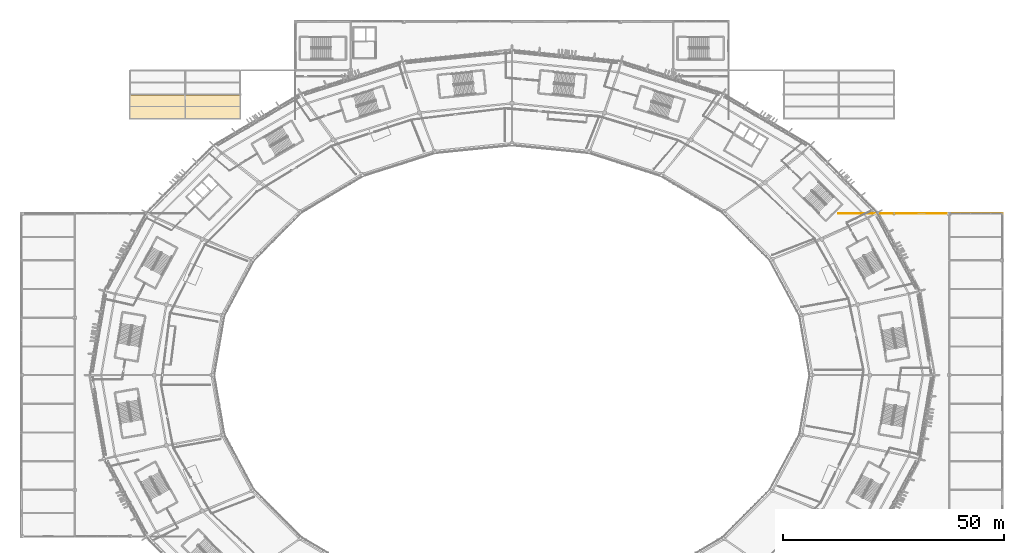
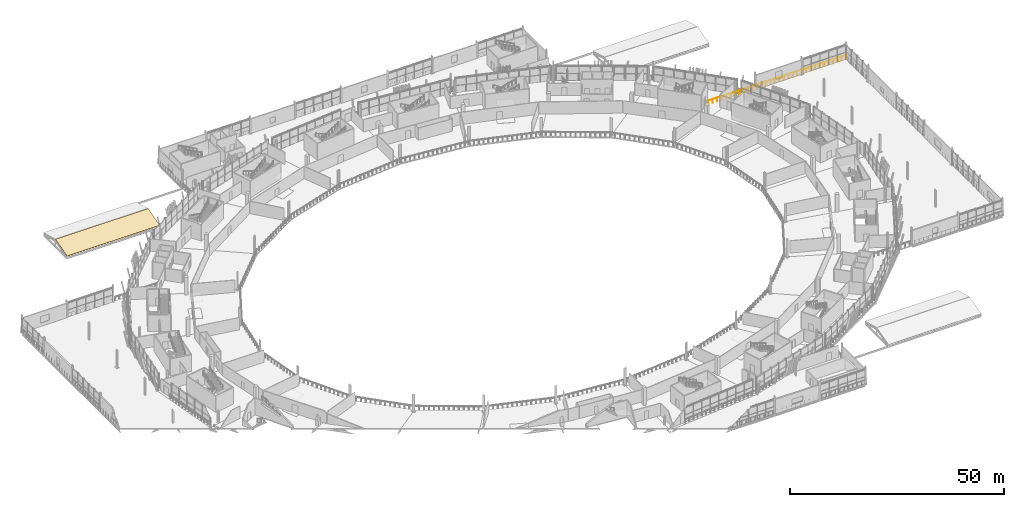
# One storey, part 171 of 179: 1 covering, 1 railing, 1 element without a shape of its own.
"""IFC4 building model written with IfcOpenShell, lengths in metres."""

from ifc_helpers import new_model, si_unit, direction, frame, origin, origin_2d, place, context, subcontext, project, spatial, polyline, rectangle, outline, extrude, material, layer, layer_set, type_object, element, aggregate, save


model = new_model("IFC4")

# Units and contexts
model_context = context("Model", 3, precision=1e-05, world=origin(), true_north=direction((0.0, 1.0)))
body_context = subcontext(model_context, "Body", "Model", "MODEL_VIEW")
ifc_project = project(units=[si_unit("LENGTHUNIT", "METRE"), si_unit("AREAUNIT", "SQUARE_METRE"), si_unit("VOLUMEUNIT", "CUBIC_METRE"), si_unit("PLANEANGLEUNIT", "RADIAN"), si_unit("MASSUNIT", "GRAM", prefix="KILO")], contexts=[model_context])

# Site, building, storey
site_placement = place(None, origin())
site = spatial("IfcSite", under=ifc_project, at=site_placement, CompositionType="ELEMENT")
building_placement = place(site_placement, origin())
building = spatial("IfcBuilding", under=site, at=building_placement, Name="Zlatoyarsky Gate Stadium", CompositionType="ELEMENT")
storey_placement = place(building_placement, frame((0.0, 0.0, 10.60009765625)))
storey = spatial("IfcBuildingStorey", under=building, at=storey_placement, Name="L02", CompositionType="ELEMENT", Elevation=10.60009765625)

# Railing
ifc_material_1 = material(Name="Powder-coated steel tubular guardrail", Category="steel")
railing_type = type_object("IfcRailingType", Name="CONCOURSE SLAB EDGE GUARDRAIL 1200", PredefinedType="GUARDRAIL", material=ifc_material_1)
railing_placement = place(storey_placement, frame((222.080078125, 116.580078125, 0.0)))
element("IfcRailing", 1, at=railing_placement, inside=storey, type_object=railing_type, Name="V5_EAST L02 N slab edge guardrail", PredefinedType="GUARDRAIL", context=body_context, shape_type="SweptSolid", body=[
    extrude(rectangle(XDim=0.048095703125, YDim=0.048095703125, at=origin_2d()), frame((0.0, 0.0, 1.17578125), z_axis=(-1.0, 0.0, 0.0), x_axis=(0.0, -1.0, 0.0)), (0.0, 0.0, 1.0), 37.16015625),
    extrude(rectangle(XDim=0.0419921875, YDim=0.0419921875, at=origin_2d()), origin(), (0.0, 0.0, 1.0), 1.15185546875),
    extrude(rectangle(XDim=0.0419921875, YDim=0.0419921875, at=origin_2d()), frame((-1.19873046875, 0.0, 0.0)), (0.0, 0.0, 1.0), 1.15185546875),
    extrude(rectangle(XDim=0.0419921875, YDim=0.0419921875, at=origin_2d()), frame((-2.3974609375, 0.0, 0.0)), (0.0, 0.0, 1.0), 1.15185546875),
    extrude(rectangle(XDim=0.0419921875, YDim=0.0419921875, at=origin_2d()), frame((-3.59619140625, 0.0, 0.0)), (0.0, 0.0, 1.0), 1.15185546875),
    extrude(rectangle(XDim=0.0419921875, YDim=0.0419921875, at=origin_2d()), frame((-4.794921875, 0.0, 0.0)), (0.0, 0.0, 1.0), 1.15185546875),
    extrude(rectangle(XDim=0.0419921875, YDim=0.0419921875, at=origin_2d()), frame((-5.99365234375, 0.0, 0.0)), (0.0, 0.0, 1.0), 1.15185546875),
    extrude(rectangle(XDim=0.0419921875, YDim=0.0419921875, at=origin_2d()), frame((-7.1923828125, 0.0, 0.0)), (0.0, 0.0, 1.0), 1.15185546875),
    extrude(rectangle(XDim=0.0419921875, YDim=0.0419921875, at=origin_2d()), frame((-8.39111328125, 0.0, 0.0)), (0.0, 0.0, 1.0), 1.15185546875),
    extrude(rectangle(XDim=0.0419921875, YDim=0.0419921875, at=origin_2d()), frame((-9.589599609375, 0.0, 0.0)), (0.0, 0.0, 1.0), 1.15185546875),
    extrude(rectangle(XDim=0.0419921875, YDim=0.0419921875, at=origin_2d()), frame((-10.788330078125, 0.0, 0.0)), (0.0, 0.0, 1.0), 1.15185546875),
    extrude(rectangle(XDim=0.0419921875, YDim=0.0419921875, at=origin_2d()), frame((-11.987060546875, 0.0, 0.0)), (0.0, 0.0, 1.0), 1.15185546875),
    extrude(rectangle(XDim=0.0419921875, YDim=0.0419921875, at=origin_2d()), frame((-13.185791015625, 0.0, 0.0)), (0.0, 0.0, 1.0), 1.15185546875),
    extrude(rectangle(XDim=0.0419921875, YDim=0.0419921875, at=origin_2d()), frame((-14.384521484375, 0.0, 0.0)), (0.0, 0.0, 1.0), 1.15185546875),
    extrude(rectangle(XDim=0.0419921875, YDim=0.0419921875, at=origin_2d()), frame((-15.583251953125, 0.0, 0.0)), (0.0, 0.0, 1.0), 1.15185546875),
    extrude(rectangle(XDim=0.0419921875, YDim=0.0419921875, at=origin_2d()), frame((-16.781982421875, 0.0, 0.0)), (0.0, 0.0, 1.0), 1.15185546875),
    extrude(rectangle(XDim=0.0419921875, YDim=0.0419921875, at=origin_2d()), frame((-17.980712890625, 0.0, 0.0)), (0.0, 0.0, 1.0), 1.15185546875),
    extrude(rectangle(XDim=0.0419921875, YDim=0.0419921875, at=origin_2d()), frame((-19.179443359375, 0.0, 0.0)), (0.0, 0.0, 1.0), 1.15185546875),
    extrude(rectangle(XDim=0.0419921875, YDim=0.0419921875, at=origin_2d()), frame((-20.378173828125, 0.0, 0.0)), (0.0, 0.0, 1.0), 1.15185546875),
    extrude(rectangle(XDim=0.0419921875, YDim=0.0419921875, at=origin_2d()), frame((-21.576904296875, 0.0, 0.0)), (0.0, 0.0, 1.0), 1.15185546875),
    extrude(rectangle(XDim=0.0419921875, YDim=0.0419921875, at=origin_2d()), frame((-22.775634765625, 0.0, 0.0)), (0.0, 0.0, 1.0), 1.15185546875),
    extrude(rectangle(XDim=0.0419921875, YDim=0.0419921875, at=origin_2d()), frame((-23.974365234375, 0.0, 0.0)), (0.0, 0.0, 1.0), 1.15185546875),
    extrude(rectangle(XDim=0.0419921875, YDim=0.0419921875, at=origin_2d()), frame((-25.173095703125, 0.0, 0.0)), (0.0, 0.0, 1.0), 1.15185546875),
    extrude(rectangle(XDim=0.0419921875, YDim=0.0419921875, at=origin_2d()), frame((-26.371826171875, 0.0, 0.0)), (0.0, 0.0, 1.0), 1.15185546875),
    extrude(rectangle(XDim=0.0419921875, YDim=0.0419921875, at=origin_2d()), frame((-27.570556640625, 0.0, 0.0)), (0.0, 0.0, 1.0), 1.15185546875),
    extrude(rectangle(XDim=0.0419921875, YDim=0.0419921875, at=origin_2d()), frame((-28.76904296875, 0.0, 0.0)), (0.0, 0.0, 1.0), 1.15185546875),
    extrude(rectangle(XDim=0.0419921875, YDim=0.0419921875, at=origin_2d()), frame((-29.9677734375, 0.0, 0.0)), (0.0, 0.0, 1.0), 1.15185546875),
    extrude(rectangle(XDim=0.0419921875, YDim=0.0419921875, at=origin_2d()), frame((-31.16650390625, 0.0, 0.0)), (0.0, 0.0, 1.0), 1.15185546875),
    extrude(rectangle(XDim=0.0419921875, YDim=0.0419921875, at=origin_2d()), frame((-32.365234375, 0.0, 0.0)), (0.0, 0.0, 1.0), 1.15185546875),
    extrude(rectangle(XDim=0.0419921875, YDim=0.0419921875, at=origin_2d()), frame((-33.56396484375, 0.0, 0.0)), (0.0, 0.0, 1.0), 1.15185546875),
    extrude(rectangle(XDim=0.0419921875, YDim=0.0419921875, at=origin_2d()), frame((-34.7626953125, 0.0, 0.0)), (0.0, 0.0, 1.0), 1.15185546875),
    extrude(rectangle(XDim=0.0419921875, YDim=0.0419921875, at=origin_2d()), frame((-35.96142578125, 0.0, 0.0)), (0.0, 0.0, 1.0), 1.15185546875),
    extrude(rectangle(XDim=0.0419921875, YDim=0.0419921875, at=origin_2d()), frame((-37.16015625, 0.0, 0.0)), (0.0, 0.0, 1.0), 1.15185546875),
])

# Roof, covering
ifc_material_2 = material(Name="Standing-seam aluminium-zinc roofing with mineral wool insulation", Category="aluminium")
ifc_layer_1 = layer(ifc_material_2, 0.080078125)
ifc_layer_set_1 = layer_set([ifc_layer_1], Name="Standing-seam aluminium-zinc roofing with mineral wool insulation")
roof_type = type_object("IfcRoofType", Name="WINTER GARDEN PAVILION ROOF ASSEMBLY", PredefinedType="PAVILION_ROOF", material=ifc_layer_set_1)
roof_placement = place(storey_placement, origin())
roof = element("IfcRoof", 2, at=roof_placement, inside=storey, type_object=roof_type, Name="V6_NW pavilion roof", PredefinedType="PAVILION_ROOF")
ifc_layer_2 = layer(ifc_material_2, 0.06005859375)
ifc_layer_set_2 = layer_set([ifc_layer_2], Name="Standing-seam aluminium-zinc roofing with mineral wool insulation")
covering_type = type_object("IfcCoveringType", Name="STANDING SEAM ALUMINIUM ZINC ROOFING 60", PredefinedType="ROOFING", material=ifc_layer_set_2)
covering_placement = place(storey_placement, frame((24.5, 138.0, 0.059814453125), z_axis=(0.0, -0.263121064037, 0.964762823527), x_axis=(1.0, 0.0, 0.0)))
covering = element("IfcCovering", 3, at=covering_placement, type_object=covering_type, Name="V6_NW standing seam roofing 1", PredefinedType="ROOFING", context=body_context, shape_type="SweptSolid", body=[
    extrude(outline(polyline([(0.0, 0.0), (25.0, 0.0), (25.0, 5.646981738949474), (0.0, 5.646981738949474), (0.0, 0.0)])), origin(), (0.0, 0.0, -1.0), 0.06005859375),
])
aggregate(roof, [covering])

save(model, "model.ifc")
